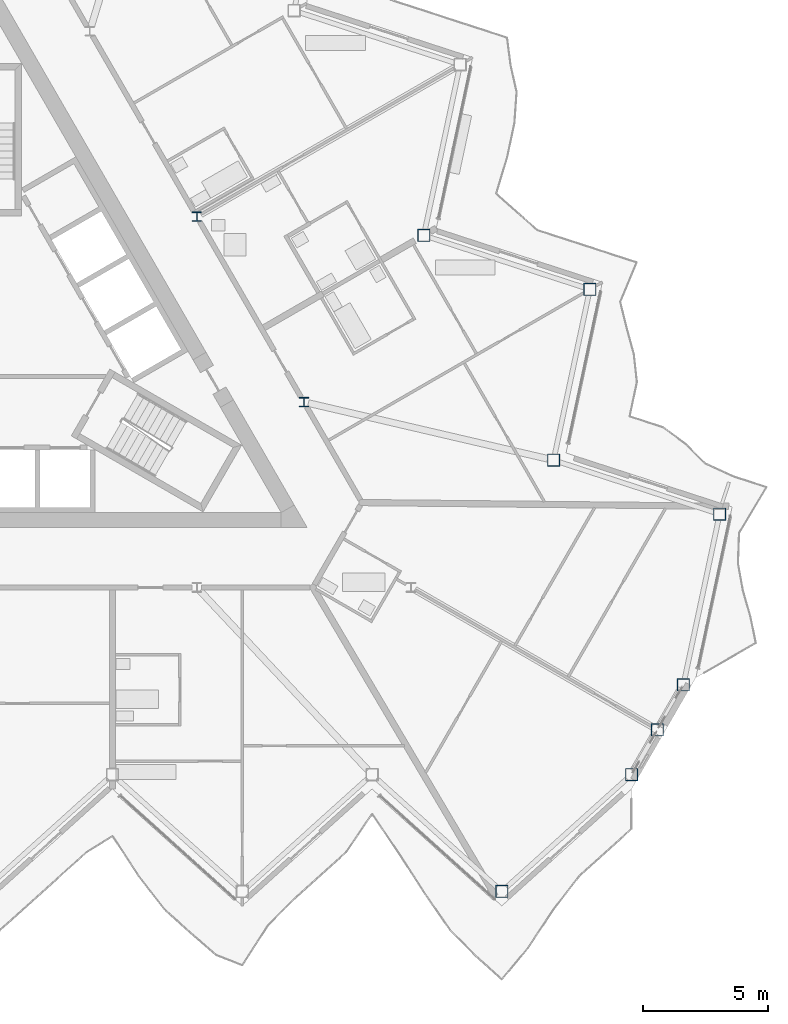
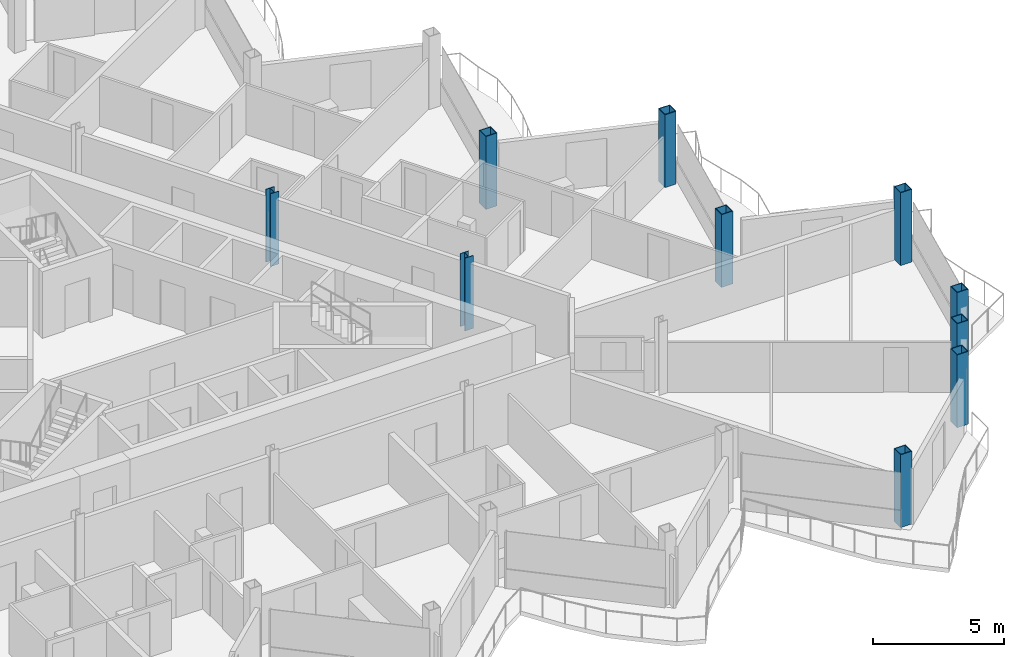
# One storey, part 2 of 26: 10 columns.
"""IFC4 building model written with IfcOpenShell, lengths in metres."""

from ifc_helpers import new_model, si_unit, direction, frame, origin, origin_2d, place, context, subcontext, project, spatial, hollow_rectangle, i_section, extrude, material, material_profile, profile_set, type_object, element, save


model = new_model("IFC4")

# Units and contexts
model_context = context("Model", 3, precision=1e-05, world=origin(), true_north=direction((0.0, 1.0)))
body_context = subcontext(model_context, "Body", "Model", "MODEL_VIEW")
ifc_project = project(units=[si_unit("LENGTHUNIT", "METRE"), si_unit("AREAUNIT", "SQUARE_METRE"), si_unit("VOLUMEUNIT", "CUBIC_METRE"), si_unit("PLANEANGLEUNIT", "RADIAN"), si_unit("MASSUNIT", "GRAM", prefix="KILO")], contexts=[model_context])

# Site, building, storey
site_placement = place(None, origin())
site = spatial("IfcSite", under=ifc_project, at=site_placement, CompositionType="ELEMENT")
building_placement = place(site_placement, origin())
building = spatial("IfcBuilding", under=site, at=building_placement, Name="Cormorant Prow Tower", CompositionType="ELEMENT")
storey_placement = place(building_placement, frame((0.0, 0.0, 371.199951171875)))
storey = spatial("IfcBuildingStorey", under=building, at=storey_placement, Name="L83", CompositionType="ELEMENT", Elevation=371.199951171875)

# Columns
ifc_material_1 = material(Name="Structural steel ASTM A572 Gr 50", Category="steel")
ifc_material_profile_1 = material_profile(ifc_material_1, hollow_rectangle(XDim=0.5, YDim=0.5, WallThickness=0.030029296875, at=origin_2d()), Name="Box 500x500x30")
ifc_profile_set_1 = profile_set([ifc_material_profile_1], Name="Structural steel ASTM A572 Gr 50")
column_type_1 = type_object("IfcColumnType", Name="Perimeter box column 500x500x30", PredefinedType="COLUMN", material=ifc_profile_set_1)
for number, where, z_axis, x_axis, name in (
    (1, (20.800048828125, -22.087890625, 0.0), (0.0, 0.0, 1.0), (1.0, 0.0, 0.0), "Perimeter column C7 at S09 L83"),
    (2, (26.0, -17.40576171875, 0.0), (0.0, 0.0, 1.0), (1.0, 0.0, 0.0), "Perimeter column C7 at ESE00 L83"),
    (3, (27.036865234375, -15.60986328125, 0.0), (0.0, 0.0, 1.0), (1.0, 0.0, 0.0), "Perimeter column C7 at ESE01 L83"),
    (4, (28.07373046875, -13.813720703125, 0.0), (0.0, 0.0, 1.0), (1.0, 0.0, 0.0), "Perimeter column C7 at ENE00 L83"),
    (5, (29.528564453125, -6.969482421875, 0.0), (0.0, 0.0, 1.0), (1.0, 0.0, 0.0), "Perimeter column C7 at ENE01 L83"),
    (6, (22.873779296875, -4.80712890625, 0.0), (0.0, 0.0, 1.0), (1.0, 0.0, 0.0), "Perimeter column C7 at ENE02 L83"),
    (7, (24.32861328125, 2.037353515625, 0.0), (0.0, 0.0, 1.0), (1.0, 0.0, 0.0), "Perimeter column C7 at ENE03 L83"),
    (8, (17.673828125, 4.199462890625, 0.0), (0.0, 0.0, 1.0), (1.0, 0.0, 0.0), "Perimeter column C7 at ENE04 L83"),
):
    element("IfcColumn", number, at=place(storey_placement, frame(where, z_axis=z_axis, x_axis=x_axis)), inside=storey, type_object=column_type_1, Name=name, PredefinedType="COLUMN", context=body_context, shape_type="SweptSolid", body=[
        extrude(hollow_rectangle(XDim=0.5, YDim=0.5, WallThickness=0.030029296875, at=origin_2d()), origin(), (0.0, 0.0, 1.0), 3.400146484375),
    ])
ifc_material_2 = material(Name="Structural steel ASTM A992 Gr 50", Category="steel")
ifc_material_profile_2 = material_profile(ifc_material_2, i_section(OverallWidth=0.3740234375, OverallDepth=0.372314453125, WebThickness=0.016357421875, FlangeThickness=0.026123046875, at=origin_2d()), Name="W14x132")
ifc_profile_set_2 = profile_set([ifc_material_profile_2], Name="Structural steel ASTM A992 Gr 50")
column_type_2 = type_object("IfcColumnType", Name="Ring column W14x132", PredefinedType="COLUMN", material=ifc_profile_set_2)
for number, where, z_axis, x_axis, name in (
    (9, (12.86767578125, -2.476318359375, 0.0), (0.0, 0.0, 1.0), (1.0, 0.0, 0.0), "Ring column 10 L83"),
    (10, (8.578369140625, 4.952880859375, 0.0), (0.0, 0.0, 1.0), (1.0, 0.0, 0.0), "Ring column 11 L83"),
):
    element("IfcColumn", number, at=place(storey_placement, frame(where, z_axis=z_axis, x_axis=x_axis)), inside=storey, type_object=column_type_2, Name=name, PredefinedType="COLUMN", context=body_context, shape_type="SweptSolid", body=[
        extrude(i_section(OverallWidth=0.3740234375, OverallDepth=0.372314453125, WebThickness=0.016357421875, FlangeThickness=0.026123046875, at=origin_2d()), origin(), (0.0, 0.0, 1.0), 3.400146484375),
    ])

save(model, "model.ifc")
